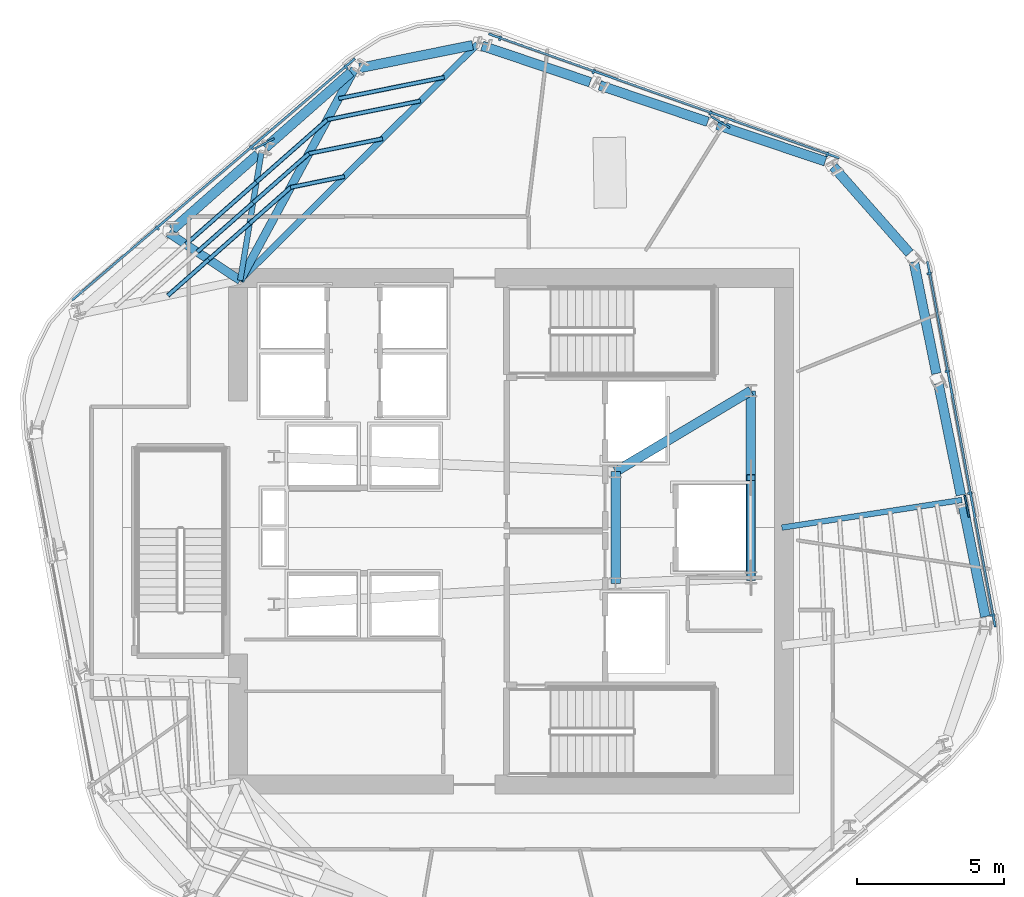
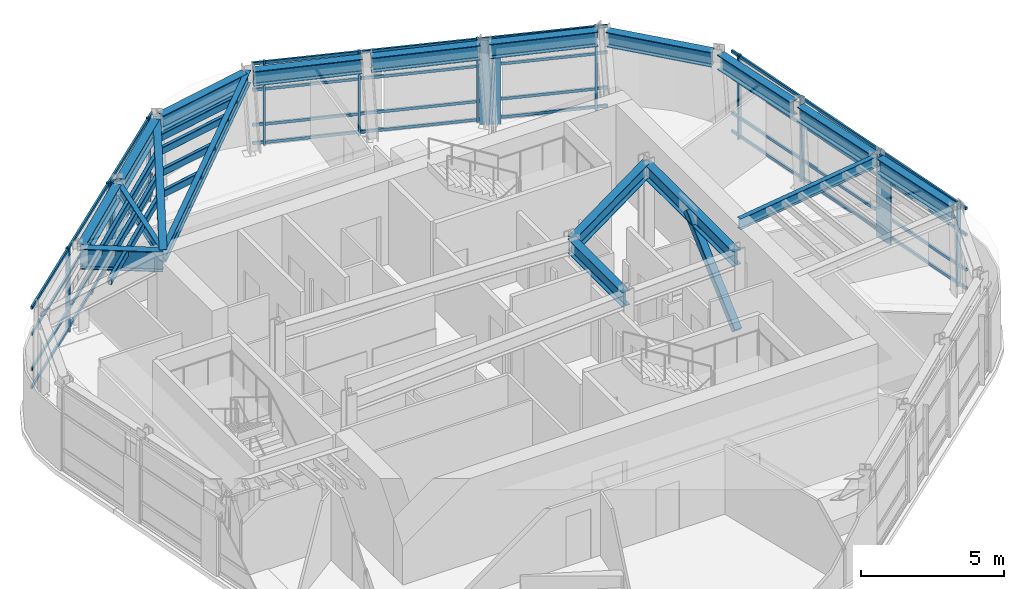
# One storey, part 4 of 14: 38 members, 18 beams, 3 elements without a shape of their own.
"""IFC4 building model written with IfcOpenShell, lengths in metres."""

from ifc_helpers import new_model, si_unit, direction, frame, origin, origin_2d, place, context, subcontext, project, spatial, rectangle, hollow_rectangle, i_section, extrude, material, layer, layer_set, material_profile, profile_set, type_object, element, aggregate, save


model = new_model("IFC4")

# Units and contexts
model_context = context("Model", 3, precision=1e-05, world=origin(), true_north=direction((0.0, 1.0)))
body_context = subcontext(model_context, "Body", "Model", "MODEL_VIEW")
ifc_project = project(units=[si_unit("LENGTHUNIT", "METRE"), si_unit("AREAUNIT", "SQUARE_METRE"), si_unit("VOLUMEUNIT", "CUBIC_METRE"), si_unit("PLANEANGLEUNIT", "RADIAN"), si_unit("MASSUNIT", "GRAM", prefix="KILO")], contexts=[model_context])

# Site, building, storey
site_placement = place(None, origin())
site = spatial("IfcSite", under=ifc_project, at=site_placement, CompositionType="ELEMENT")
building_placement = place(site_placement, origin())
building = spatial("IfcBuilding", under=site, at=building_placement, Name="Valkerne Bourse Tower", CompositionType="ELEMENT")
storey_placement = place(building_placement, frame((0.0, 0.0, 198.0)))
storey = spatial("IfcBuildingStorey", under=building, at=storey_placement, Name="L50", CompositionType="ELEMENT", Elevation=198.0)

# Beams
ifc_material_1 = material(Name="Steel ASTM A992", Category="steel")
ifc_material_profile_1 = material_profile(ifc_material_1, i_section(OverallWidth=0.1904296875, OverallDepth=0.457275390625, WebThickness=0.009033203125, FlangeThickness=0.014404296875, FilletRadius=0.01513671875, at=origin_2d()), Name="W18X50")
ifc_profile_set_1 = profile_set([ifc_material_profile_1], Name="Steel ASTM A992")
beam_type_1 = type_object("IfcBeamType", Name="BM-W18X50", PredefinedType="JOIST", material=ifc_profile_set_1)
beam_1_placement = place(storey_placement, frame((38.32861328125, 39.79345703125, 3.371337890625), z_axis=(-0.163581084638, -0.986529892476, 0.0), x_axis=(0.986529892476, -0.163581084638, 0.0)))
element("IfcBeam", 1, at=beam_1_placement, inside=storey, type_object=beam_type_1, Name="L50 Radial Composite Floor Beam 05", PredefinedType="JOIST", context=body_context, shape_type="SweptSolid", body=[
    extrude(i_section(OverallWidth=0.1904296875, OverallDepth=0.457275390625, WebThickness=0.009033203125, FlangeThickness=0.014404296875, FilletRadius=0.01513671875, at=origin_2d()), origin(), (0.0, 0.0, 1.0), 4.45361328125),
])
beam_2_placement = place(storey_placement, frame((62.115234375, 27.939697265625, 3.371337890625), z_axis=(-0.988398597204, -0.151882234136, 0.0), x_axis=(0.151882234136, -0.988398597204, 0.0)))
element("IfcBeam", 2, at=beam_2_placement, inside=storey, type_object=beam_type_1, Name="L50 Radial Composite Floor Beam 21", PredefinedType="JOIST", context=body_context, shape_type="SweptSolid", body=[
    extrude(i_section(OverallWidth=0.1904296875, OverallDepth=0.457275390625, WebThickness=0.009033203125, FlangeThickness=0.014404296875, FilletRadius=0.01513671875, at=origin_2d()), origin(), (0.0, 0.0, 1.0), 6.18701171875),
])
ifc_material_profile_2 = material_profile(ifc_material_1, i_section(OverallWidth=0.279296875, OverallDepth=0.46240234375, WebThickness=0.0107421875, FlangeThickness=0.017333984375, FilletRadius=0.017822265625, at=origin_2d()), Name="W18X76")
ifc_profile_set_2 = profile_set([ifc_material_profile_2], Name="Steel ASTM A992")
beam_type_2 = type_object("IfcBeamType", Name="BM-W18X76", PredefinedType="BEAM", material=ifc_profile_set_2)
beam_3_placement = place(storey_placement, frame((41.488037109375, 42.578857421875, 3.368896484375), z_axis=(-0.476220529649, -0.879325882219, 0.0), x_axis=(0.879325882219, -0.476220529649, 0.0)))
element("IfcBeam", 3, at=beam_3_placement, inside=storey, type_object=beam_type_2, Name="L50 Radial Composite Floor Beam 04", PredefinedType="BEAM", context=body_context, shape_type="SweptSolid", body=[
    extrude(i_section(OverallWidth=0.279296875, OverallDepth=0.46240234375, WebThickness=0.0107421875, FlangeThickness=0.017333984375, FilletRadius=0.017822265625, at=origin_2d()), origin(), (0.0, 0.0, 1.0), 8.1640625),
])
ifc_material_profile_3 = material_profile(ifc_material_1, i_section(OverallWidth=0.209228515625, OverallDepth=0.533447265625, WebThickness=0.01025390625, FlangeThickness=0.015625, FilletRadius=0.017822265625, at=origin_2d()), Name="W21X62")
ifc_profile_set_3 = profile_set([ifc_material_profile_3], Name="Steel ASTM A992")
beam_type_3 = type_object("IfcBeamType", Name="BM-W21X62", PredefinedType="JOIST", material=ifc_profile_set_3)
beam_4_placement = place(storey_placement, frame((45.659912109375, 43.420166015625, 3.333251953125), z_axis=(-0.708843846605, -0.705365438004, 0.0), x_axis=(0.705365438004, -0.708843846605, 0.0)))
element("IfcBeam", 4, at=beam_4_placement, inside=storey, type_object=beam_type_3, Name="L50 Radial Composite Floor Beam 03", PredefinedType="JOIST", context=body_context, shape_type="SweptSolid", body=[
    extrude(i_section(OverallWidth=0.209228515625, OverallDepth=0.533447265625, WebThickness=0.01025390625, FlangeThickness=0.015625, FilletRadius=0.017822265625, at=origin_2d()), origin(), (0.0, 0.0, 1.0), 11.370361328125),
])
ifc_material_profile_4 = material_profile(ifc_material_1, i_section(OverallWidth=0.3251953125, OverallDepth=0.612060546875, WebThickness=0.0126953125, FlangeThickness=0.01904296875, FilletRadius=0.020263671875, at=origin_2d()), Name="W24X104")
ifc_profile_set_4 = profile_set([ifc_material_profile_4], Name="Steel ASTM A992")
beam_type_4 = type_object("IfcBeamType", Name="BM-W24X104", PredefinedType="BEAM", material=ifc_profile_set_4)
beam_5_placement = place(storey_placement, frame((50.35009765625, 25.10009765625, 3.2939453125), z_axis=(0.0, 1.0, 0.0), x_axis=(-1.0, 0.0, 0.0)))
element("IfcBeam", 5, at=beam_5_placement, inside=storey, type_object=beam_type_4, Name="L50 Core Frame Girder CG-CE", PredefinedType="BEAM", context=body_context, shape_type="SweptSolid", body=[
    extrude(i_section(OverallWidth=0.3251953125, OverallDepth=0.612060546875, WebThickness=0.0126953125, FlangeThickness=0.01904296875, FilletRadius=0.020263671875, at=origin_2d()), origin(), (0.0, 0.0, 1.0), 3.7998046875),
])
beam_6_placement = place(storey_placement, frame((50.35009765625, 28.89990234375, 3.2939453125), z_axis=(0.858307823492, 0.513135148019, 0.0), x_axis=(-0.513135148019, 0.858307823492, 0.0)))
element("IfcBeam", 6, at=beam_6_placement, inside=storey, type_object=beam_type_4, Name="L50 Core Frame Girder CG-NE", PredefinedType="BEAM", context=body_context, shape_type="SweptSolid", body=[
    extrude(i_section(OverallWidth=0.3251953125, OverallDepth=0.612060546875, WebThickness=0.0126953125, FlangeThickness=0.01904296875, FilletRadius=0.020263671875, at=origin_2d()), origin(), (0.0, 0.0, 1.0), 5.359130859375),
])
beam_7_placement = place(storey_placement, frame((54.949951171875, 25.300048828125, 3.2939453125), z_axis=(0.0, 1.0, 0.0), x_axis=(-1.0, 0.0, 0.0)))
element("IfcBeam", 7, at=beam_7_placement, inside=storey, type_object=beam_type_4, Name="L50 Core Frame Girder CG-EE", PredefinedType="BEAM", context=body_context, shape_type="SweptSolid", body=[
    extrude(i_section(OverallWidth=0.3251953125, OverallDepth=0.612060546875, WebThickness=0.0126953125, FlangeThickness=0.01904296875, FilletRadius=0.020263671875, at=origin_2d()), origin(), (0.0, 0.0, 1.0), 6.349853515625),
])
ifc_material_profile_5 = material_profile(ifc_material_1, i_section(OverallWidth=0.32763671875, OverallDepth=0.62744140625, WebThickness=0.0166015625, FlangeThickness=0.027587890625, FilletRadius=0.020263671875, at=origin_2d()), Name="W24X146")
ifc_profile_set_5 = profile_set([ifc_material_profile_5], Name="Steel ASTM A992")
beam_type_5 = type_object("IfcBeamType", Name="BM-W24X146", PredefinedType="SPANDREL", material=ifc_profile_set_5)
for number, where, z_axis, x_axis, name in (
    (8, (57.474609375, 39.44384765625, 3.286376953125), (-0.947758695535, 0.318988173822, 0.0), (-0.318988173822, -0.947758695535, 0.0), "L50 Hexagonal Spandrel Ring Beam 00"),
    (9, (53.482666015625, 40.787353515625, 3.286376953125), (-0.947758695535, 0.318988173822, 0.0), (-0.318988173822, -0.947758695535, 0.0), "L50 Hexagonal Spandrel Ring Beam 01"),
    (10, (49.49072265625, 42.130859375, 3.286376953125), (-0.947765110882, 0.31896911229, 0.0), (-0.31896911229, -0.947765110882, 0.0), "L50 Hexagonal Spandrel Ring Beam 02"),
):
    element("IfcBeam", number, at=place(storey_placement, frame(where, z_axis=z_axis, x_axis=x_axis)), inside=storey, type_object=beam_type_5, Name=name, PredefinedType="SPANDREL", context=body_context, shape_type="SweptSolid", body=[
        extrude(i_section(OverallWidth=0.32763671875, OverallDepth=0.62744140625, WebThickness=0.0166015625, FlangeThickness=0.027587890625, FilletRadius=0.020263671875, at=origin_2d()), origin(), (0.0, 0.0, 1.0), 3.8720703125),
    ])
beam_8_placement = place(storey_placement, frame((45.4931640625, 43.386474609375, 3.286376953125), z_axis=(-0.980272518925, -0.19765067326, 0.0), x_axis=(0.19765067326, -0.980272518925, 0.0)))
element("IfcBeam", 11, at=beam_8_placement, inside=storey, type_object=beam_type_5, Name="L50 Hexagonal Spandrel Ring Beam 03", PredefinedType="SPANDREL", context=body_context, shape_type="SweptSolid", body=[
    extrude(i_section(OverallWidth=0.32763671875, OverallDepth=0.62744140625, WebThickness=0.0166015625, FlangeThickness=0.027587890625, FilletRadius=0.020263671875, at=origin_2d()), origin(), (0.0, 0.0, 1.0), 3.91552734375),
])
beam_9_placement = place(storey_placement, frame((41.360595703125, 42.466552734375, 3.286376953125), z_axis=(-0.750130348516, -0.661289997078, 0.0), x_axis=(0.661289997078, -0.750130348516, 0.0)))
element("IfcBeam", 12, at=beam_9_placement, inside=storey, type_object=beam_type_5, Name="L50 Hexagonal Spandrel Ring Beam 04", PredefinedType="SPANDREL", context=body_context, shape_type="SweptSolid", body=[
    extrude(i_section(OverallWidth=0.32763671875, OverallDepth=0.62744140625, WebThickness=0.0166015625, FlangeThickness=0.027587890625, FilletRadius=0.020263671875, at=origin_2d()), origin(), (0.0, 0.0, 1.0), 3.8720703125),
])
for number, where, z_axis, x_axis, name in (
    (13, (38.201171875, 39.68115234375, 3.286376953125), (-0.750099071774, -0.661325473971, 0.0), (0.661325473971, -0.750099071774, 0.0), "L50 Hexagonal Spandrel Ring Beam 05"),
    (14, (62.9140625, 23.977294921875, 3.286376953125), (-0.19765572137, 0.98027150107, 0.0), (-0.98027150107, -0.19765572137, 0.0), "L50 Hexagonal Spandrel Ring Beam 20"),
    (15, (62.08154296875, 28.106201171875, 3.286376953125), (-0.19765572137, 0.98027150107, 0.0), (-0.98027150107, -0.19765572137, 0.0), "L50 Hexagonal Spandrel Ring Beam 21"),
    (16, (61.2490234375, 32.235107421875, 3.286376953125), (-0.19765572137, 0.98027150107, 0.0), (-0.98027150107, -0.19765572137, 0.0), "L50 Hexagonal Spandrel Ring Beam 22"),
):
    element("IfcBeam", number, at=place(storey_placement, frame(where, z_axis=z_axis, x_axis=x_axis)), inside=storey, type_object=beam_type_5, Name=name, PredefinedType="SPANDREL", context=body_context, shape_type="SweptSolid", body=[
        extrude(i_section(OverallWidth=0.32763671875, OverallDepth=0.62744140625, WebThickness=0.0166015625, FlangeThickness=0.027587890625, FilletRadius=0.020263671875, at=origin_2d()), origin(), (0.0, 0.0, 1.0), 3.872314453125),
    ])
beam_10_placement = place(storey_placement, frame((60.337646484375, 36.324951171875, 3.286376953125), z_axis=(-0.661285437927, 0.750134367688, 0.0), x_axis=(-0.750134367688, -0.661285437927, 0.0)))
element("IfcBeam", 17, at=beam_10_placement, inside=storey, type_object=beam_type_5, Name="L50 Hexagonal Spandrel Ring Beam 23", PredefinedType="SPANDREL", context=body_context, shape_type="SweptSolid", body=[
    extrude(i_section(OverallWidth=0.32763671875, OverallDepth=0.62744140625, WebThickness=0.0166015625, FlangeThickness=0.027587890625, FilletRadius=0.020263671875, at=origin_2d()), origin(), (0.0, 0.0, 1.0), 3.91552734375),
])
ifc_material_profile_6 = material_profile(ifc_material_1, i_section(OverallWidth=0.2919921875, OverallDepth=0.8583984375, WebThickness=0.01708984375, FlangeThickness=0.031005859375, FilletRadius=0.025390625, at=origin_2d()), Name="W33X169")
ifc_profile_set_6 = profile_set([ifc_material_profile_6], Name="Steel ASTM A992")
beam_type_6 = type_object("IfcBeamType", Name="BM-W33X169", PredefinedType="BEAM", material=ifc_profile_set_6)
beam_11_placement = place(storey_placement, frame((35.169189453125, 37.008056640625, 3.170654296875), z_axis=(0.83401666327, -0.551739254892, 0.0), x_axis=(0.551739254892, 0.83401666327, 0.0)))
element("IfcBeam", 18, at=beam_11_placement, inside=storey, type_object=beam_type_6, Name="L50 Radial Composite Floor Beam 06", PredefinedType="BEAM", context=body_context, shape_type="SweptSolid", body=[
    extrude(i_section(OverallWidth=0.2919921875, OverallDepth=0.8583984375, WebThickness=0.01708984375, FlangeThickness=0.031005859375, FilletRadius=0.025390625, at=origin_2d()), origin(), (0.0, 0.0, 1.0), 2.914794921875),
])

# Curtain wall, members
ifc_material_2 = material(Name="Aluminium AA 6063-T6", Category="aluminium")
ifc_layer = layer(ifc_material_2, 0.239990234375)
ifc_layer_set = layer_set([ifc_layer], Name="Aluminium AA 6063-T6")
curtain_wall_type = type_object("IfcCurtainWallType", Name="CW-04", PredefinedType="NOTDEFINED", material=ifc_layer_set)
curtain_wall_1_placement = place(storey_placement, origin())
curtain_wall_1 = element("IfcCurtainWall", 19, at=curtain_wall_1_placement, inside=storey, type_object=curtain_wall_type, Name="L50 Hexagonal Stick Curtain Wall Face 1", PredefinedType="NOTDEFINED")
ifc_material_profile_7 = material_profile(ifc_material_2, rectangle(XDim=0.074951171875, YDim=0.159912109375, at=origin_2d()), Name="CWM-75X160")
ifc_profile_set_7 = profile_set([ifc_material_profile_7], Name="Aluminium AA 6063-T6")
member_type_1 = type_object("IfcMemberType", Name="CW-MUL-160X75", PredefinedType="MULLION", material=ifc_profile_set_7)
member_1_placement = place(storey_placement, frame((57.546630859375, 39.6787109375, 0.0), z_axis=(0.0, 0.0, 1.0), x_axis=(-0.942643567267, 0.33380099624, 0.0)))
member_1 = element("IfcMember", 20, at=member_1_placement, type_object=member_type_1, Name="CW-L50-F1 Jamb Mullion 00A", PredefinedType="MULLION", context=body_context, shape_type="SweptSolid", body=[
    extrude(rectangle(XDim=0.074951171875, YDim=0.159912109375, at=origin_2d()), origin(), (0.0, 0.0, 1.0), 3.60009765625),
])
member_2_placement = place(storey_placement, frame((53.576171875, 41.084716796875, 0.0), z_axis=(0.0, 0.0, 1.0), x_axis=(-0.942640921859, 0.333808466695, 0.0)))
member_2 = element("IfcMember", 21, at=member_2_placement, type_object=member_type_1, Name="CW-L50-F1 Jamb Mullion 01A", PredefinedType="MULLION", context=body_context, shape_type="SweptSolid", body=[
    extrude(rectangle(XDim=0.074951171875, YDim=0.159912109375, at=origin_2d()), origin(), (0.0, 0.0, 1.0), 3.60009765625),
])
member_3_placement = place(storey_placement, frame((49.605712890625, 42.49072265625, 0.0), z_axis=(0.0, 0.0, 1.0), x_axis=(-0.942640921859, 0.333808466695, 0.0)))
member_3 = element("IfcMember", 22, at=member_3_placement, type_object=member_type_1, Name="CW-L50-F1 Jamb Mullion 02A", PredefinedType="MULLION", context=body_context, shape_type="SweptSolid", body=[
    extrude(rectangle(XDim=0.074951171875, YDim=0.159912109375, at=origin_2d()), origin(), (0.0, 0.0, 1.0), 3.60009765625),
])
member_4_placement = place(storey_placement, frame((46.42724609375, 43.6162109375, 0.0), z_axis=(0.0, 0.0, 1.0), x_axis=(-0.942640921859, 0.333808466695, 0.0)))
member_4 = element("IfcMember", 23, at=member_4_placement, type_object=member_type_1, Name="CW-L50-F1 Jamb Mullion 02B", PredefinedType="MULLION", context=body_context, shape_type="SweptSolid", body=[
    extrude(rectangle(XDim=0.074951171875, YDim=0.159912109375, at=origin_2d()), origin(), (0.0, 0.0, 1.0), 3.60009765625),
])

curtain_wall_2_placement = place(storey_placement, origin())
curtain_wall_2 = element("IfcCurtainWall", 24, at=curtain_wall_2_placement, inside=storey, type_object=curtain_wall_type, Name="L50 Hexagonal Stick Curtain Wall Face 2", PredefinedType="NOTDEFINED")
member_5_placement = place(storey_placement, frame((41.193115234375, 42.646240234375, 0.0), z_axis=(0.0, 0.0, 1.0), x_axis=(-0.760411783398, -0.649441236502, 0.0)))
member_5 = element("IfcMember", 25, at=member_5_placement, type_object=member_type_1, Name="CW-L50-F2 Jamb Mullion 00A", PredefinedType="MULLION", context=body_context, shape_type="SweptSolid", body=[
    extrude(rectangle(XDim=0.074951171875, YDim=0.159912109375, at=origin_2d()), origin(), (0.0, 0.0, 1.0), 3.60009765625),
])
member_6_placement = place(storey_placement, frame((37.990478515625, 39.910888671875, 0.0), z_axis=(0.0, 0.0, 1.0), x_axis=(-0.760400058591, -0.649454964486, 0.0)))
member_6 = element("IfcMember", 26, at=member_6_placement, type_object=member_type_1, Name="CW-L50-F2 Jamb Mullion 01A", PredefinedType="MULLION", context=body_context, shape_type="SweptSolid", body=[
    extrude(rectangle(XDim=0.074951171875, YDim=0.159912109375, at=origin_2d()), origin(), (0.0, 0.0, 1.0), 3.60009765625),
])
member_7_placement = place(storey_placement, frame((34.78759765625, 37.17529296875, 0.0), z_axis=(0.0, 0.0, 1.0), x_axis=(-0.760400058591, -0.649454964486, 0.0)))
member_7 = element("IfcMember", 27, at=member_7_placement, type_object=member_type_1, Name="CW-L50-F2 Jamb Mullion 02A", PredefinedType="MULLION", context=body_context, shape_type="SweptSolid", body=[
    extrude(rectangle(XDim=0.074951171875, YDim=0.159912109375, at=origin_2d()), origin(), (0.0, 0.0, 1.0), 3.60009765625),
])

curtain_wall_3_placement = place(storey_placement, origin())
curtain_wall_3 = element("IfcCurtainWall", 28, at=curtain_wall_3_placement, inside=storey, type_object=curtain_wall_type, Name="L50 Hexagonal Stick Curtain Wall Face 6", PredefinedType="NOTDEFINED")
member_8_placement = place(storey_placement, frame((63.1533203125, 24.032470703125, 0.0), z_axis=(0.0, 0.0, 1.0), x_axis=(-0.182239736328, 0.983254127122, 0.0)))
member_8 = element("IfcMember", 29, at=member_8_placement, type_object=member_type_1, Name="CW-L50-F6 Jamb Mullion 00A", PredefinedType="MULLION", context=body_context, shape_type="SweptSolid", body=[
    extrude(rectangle(XDim=0.074951171875, YDim=0.159912109375, at=origin_2d()), origin(), (0.0, 0.0, 1.0), 3.60009765625),
])
member_9_placement = place(storey_placement, frame((62.3857421875, 28.173828125, 0.0), z_axis=(0.0, 0.0, 1.0), x_axis=(-0.182216783154, 0.983258381066, 0.0)))
member_9 = element("IfcMember", 30, at=member_9_placement, type_object=member_type_1, Name="CW-L50-F6 Jamb Mullion 01A", PredefinedType="MULLION", context=body_context, shape_type="SweptSolid", body=[
    extrude(rectangle(XDim=0.074951171875, YDim=0.159912109375, at=origin_2d()), origin(), (0.0, 0.0, 1.0), 3.60009765625),
])
member_10_placement = place(storey_placement, frame((61.618408203125, 32.3154296875, 0.0), z_axis=(0.0, 0.0, 1.0), x_axis=(-0.182239736328, 0.983254127122, 0.0)))
member_10 = element("IfcMember", 31, at=member_10_placement, type_object=member_type_1, Name="CW-L50-F6 Jamb Mullion 02A", PredefinedType="MULLION", context=body_context, shape_type="SweptSolid", body=[
    extrude(rectangle(XDim=0.074951171875, YDim=0.159912109375, at=origin_2d()), origin(), (0.0, 0.0, 1.0), 3.60009765625),
])
member_11_placement = place(storey_placement, frame((61.003662109375, 35.631103515625, 0.0), z_axis=(0.0, 0.0, 1.0), x_axis=(-0.182239736328, 0.983254127122, 0.0)))
member_11 = element("IfcMember", 32, at=member_11_placement, type_object=member_type_1, Name="CW-L50-F6 Jamb Mullion 02B", PredefinedType="MULLION", context=body_context, shape_type="SweptSolid", body=[
    extrude(rectangle(XDim=0.074951171875, YDim=0.159912109375, at=origin_2d()), origin(), (0.0, 0.0, 1.0), 3.60009765625),
])

# Member
ifc_material_profile_8 = material_profile(ifc_material_2, rectangle(XDim=0.074951171875, YDim=0.1201171875, at=origin_2d()), Name="CWT-75X120")
ifc_profile_set_8 = profile_set([ifc_material_profile_8], Name="Aluminium AA 6063-T6")
member_type_2 = type_object("IfcMemberType", Name="CW-TRN-120X75", PredefinedType="USERDEFINED", material=ifc_profile_set_8)
member_12_placement = place(storey_placement, frame((57.94921875, 39.557373046875, 0.1201171875), z_axis=(-0.942639891641, 0.33381137591, 0.0), x_axis=(-0.33381137591, -0.942639891641, 0.0)))
member_12 = element("IfcMember", 33, at=member_12_placement, type_object=member_type_2, Name="CW-L50-F1 Continuous Face Transom 1", ObjectType="TRANSOM", PredefinedType="USERDEFINED", context=body_context, shape_type="SweptSolid", body=[
    extrude(rectangle(XDim=0.074951171875, YDim=0.1201171875, at=origin_2d()), origin(), (0.0, 0.0, 1.0), 12.635986328125),
])

member_13_placement = place(storey_placement, frame((57.94921875, 39.557373046875, 0.89990234375), z_axis=(-0.942639891641, 0.33381137591, 0.0), x_axis=(-0.33381137591, -0.942639891641, 0.0)))
member_13 = element("IfcMember", 34, at=member_13_placement, type_object=member_type_2, Name="CW-L50-F1 Continuous Face Transom 2", ObjectType="TRANSOM", PredefinedType="USERDEFINED", context=body_context, shape_type="SweptSolid", body=[
    extrude(rectangle(XDim=0.074951171875, YDim=0.1201171875, at=origin_2d()), origin(), (0.0, 0.0, 1.0), 12.635986328125),
])

member_14_placement = place(storey_placement, frame((57.94921875, 39.557373046875, 2.39990234375), z_axis=(-0.942639891641, 0.33381137591, 0.0), x_axis=(-0.33381137591, -0.942639891641, 0.0)))
member_14 = element("IfcMember", 35, at=member_14_placement, type_object=member_type_2, Name="CW-L50-F1 Continuous Face Transom 3", ObjectType="TRANSOM", PredefinedType="USERDEFINED", context=body_context, shape_type="SweptSolid", body=[
    extrude(rectangle(XDim=0.074951171875, YDim=0.1201171875, at=origin_2d()), origin(), (0.0, 0.0, 1.0), 12.635986328125),
])

member_15_placement = place(storey_placement, frame((57.94921875, 39.557373046875, 3.52001953125), z_axis=(-0.942639891641, 0.33381137591, 0.0), x_axis=(-0.33381137591, -0.942639891641, 0.0)))
member_15 = element("IfcMember", 36, at=member_15_placement, type_object=member_type_2, Name="CW-L50-F1 Continuous Face Transom 4", ObjectType="TRANSOM", PredefinedType="USERDEFINED", context=body_context, shape_type="SweptSolid", body=[
    extrude(rectangle(XDim=0.074951171875, YDim=0.1201171875, at=origin_2d()), origin(), (0.0, 0.0, 1.0), 12.635986328125),
])

aggregate(curtain_wall_1, [member_12, member_13, member_14, member_15, member_1, member_2, member_3, member_4])

member_16_placement = place(storey_placement, frame((41.49951171875, 42.93408203125, 0.1201171875), z_axis=(-0.760407868756, -0.649445820014, 0.0), x_axis=(0.649445820014, -0.760407868756, 0.0)))
member_16 = element("IfcMember", 37, at=member_16_placement, type_object=member_type_2, Name="CW-L50-F2 Continuous Face Transom 1", ObjectType="TRANSOM", PredefinedType="USERDEFINED", context=body_context, shape_type="SweptSolid", body=[
    extrude(rectangle(XDim=0.074951171875, YDim=0.1201171875, at=origin_2d()), origin(), (0.0, 0.0, 1.0), 12.6357421875),
])

member_17_placement = place(storey_placement, frame((41.49951171875, 42.93408203125, 0.89990234375), z_axis=(-0.760407868756, -0.649445820014, 0.0), x_axis=(0.649445820014, -0.760407868756, 0.0)))
member_17 = element("IfcMember", 38, at=member_17_placement, type_object=member_type_2, Name="CW-L50-F2 Continuous Face Transom 2", ObjectType="TRANSOM", PredefinedType="USERDEFINED", context=body_context, shape_type="SweptSolid", body=[
    extrude(rectangle(XDim=0.074951171875, YDim=0.1201171875, at=origin_2d()), origin(), (0.0, 0.0, 1.0), 12.6357421875),
])

member_18_placement = place(storey_placement, frame((41.49951171875, 42.93408203125, 2.39990234375), z_axis=(-0.760407868756, -0.649445820014, 0.0), x_axis=(0.649445820014, -0.760407868756, 0.0)))
member_18 = element("IfcMember", 39, at=member_18_placement, type_object=member_type_2, Name="CW-L50-F2 Continuous Face Transom 3", ObjectType="TRANSOM", PredefinedType="USERDEFINED", context=body_context, shape_type="SweptSolid", body=[
    extrude(rectangle(XDim=0.074951171875, YDim=0.1201171875, at=origin_2d()), origin(), (0.0, 0.0, 1.0), 12.6357421875),
])

member_19_placement = place(storey_placement, frame((41.49951171875, 42.93408203125, 3.52001953125), z_axis=(-0.760407868756, -0.649445820014, 0.0), x_axis=(0.649445820014, -0.760407868756, 0.0)))
member_19 = element("IfcMember", 40, at=member_19_placement, type_object=member_type_2, Name="CW-L50-F2 Continuous Face Transom 4", ObjectType="TRANSOM", PredefinedType="USERDEFINED", context=body_context, shape_type="SweptSolid", body=[
    extrude(rectangle(XDim=0.074951171875, YDim=0.1201171875, at=origin_2d()), origin(), (0.0, 0.0, 1.0), 12.6357421875),
])

aggregate(curtain_wall_2, [member_16, member_17, member_18, member_19, member_5, member_6, member_7])

member_20_placement = place(storey_placement, frame((63.24951171875, 23.623046875, 0.1201171875), z_axis=(-0.182215177499, 0.983258678624, 0.0), x_axis=(-0.983258678624, -0.182215177499, 0.0)))
member_20 = element("IfcMember", 41, at=member_20_placement, type_object=member_type_2, Name="CW-L50-F6 Continuous Face Transom 1", ObjectType="TRANSOM", PredefinedType="USERDEFINED", context=body_context, shape_type="SweptSolid", body=[
    extrude(rectangle(XDim=0.074951171875, YDim=0.1201171875, at=origin_2d()), origin(), (0.0, 0.0, 1.0), 12.635986328125),
])

member_21_placement = place(storey_placement, frame((63.24951171875, 23.623046875, 0.89990234375), z_axis=(-0.182215177499, 0.983258678624, 0.0), x_axis=(-0.983258678624, -0.182215177499, 0.0)))
member_21 = element("IfcMember", 42, at=member_21_placement, type_object=member_type_2, Name="CW-L50-F6 Continuous Face Transom 2", ObjectType="TRANSOM", PredefinedType="USERDEFINED", context=body_context, shape_type="SweptSolid", body=[
    extrude(rectangle(XDim=0.074951171875, YDim=0.1201171875, at=origin_2d()), origin(), (0.0, 0.0, 1.0), 12.635986328125),
])

member_22_placement = place(storey_placement, frame((63.24951171875, 23.623046875, 2.39990234375), z_axis=(-0.182215177499, 0.983258678624, 0.0), x_axis=(-0.983258678624, -0.182215177499, 0.0)))
member_22 = element("IfcMember", 43, at=member_22_placement, type_object=member_type_2, Name="CW-L50-F6 Continuous Face Transom 3", ObjectType="TRANSOM", PredefinedType="USERDEFINED", context=body_context, shape_type="SweptSolid", body=[
    extrude(rectangle(XDim=0.074951171875, YDim=0.1201171875, at=origin_2d()), origin(), (0.0, 0.0, 1.0), 12.635986328125),
])

member_23_placement = place(storey_placement, frame((63.24951171875, 23.623046875, 3.52001953125), z_axis=(-0.182215177499, 0.983258678624, 0.0), x_axis=(-0.983258678624, -0.182215177499, 0.0)))
member_23 = element("IfcMember", 44, at=member_23_placement, type_object=member_type_2, Name="CW-L50-F6 Continuous Face Transom 4", ObjectType="TRANSOM", PredefinedType="USERDEFINED", context=body_context, shape_type="SweptSolid", body=[
    extrude(rectangle(XDim=0.074951171875, YDim=0.1201171875, at=origin_2d()), origin(), (0.0, 0.0, 1.0), 12.635986328125),
])

aggregate(curtain_wall_3, [member_20, member_21, member_22, member_23, member_8, member_9, member_10, member_11])

# Members
ifc_material_3 = material(Name="Bronze Anodised Aluminium AA 6063-T6", Category="aluminium")
ifc_material_profile_9 = material_profile(ifc_material_3, rectangle(XDim=0.06494140625, YDim=0.75, at=origin_2d()), Name="FIN-65X750")
ifc_profile_set_9 = profile_set([ifc_material_profile_9], Name="Bronze Anodised Aluminium AA 6063-T6")
member_type_3 = type_object("IfcMemberType", Name="FIN-SOLAR-650", PredefinedType="USERDEFINED", material=ifc_profile_set_9)
for number, where, z_axis, x_axis, name in (
    (45, (53.912109375, 40.77490234375, 0.00390625), (0.0, 0.0, 1.0), (0.515604225618, 0.856826868466, 0.0), "L50 Bronze Anodised Solar Fin F1-01"),
    (46, (38.4267578125, 40.046630859375, 0.00390625), (0.0, 0.0, 1.0), (-0.467380329238, 0.884056348793, 0.0), "L50 Bronze Anodised Solar Fin F2-01"),
    (47, (62.285400390625, 27.728271484375, 0.00390625), (0.0, 0.0, 1.0), (0.979583667135, 0.201036909749, 0.0), "L50 Bronze Anodised Solar Fin F6-01"),
):
    element("IfcMember", number, at=place(storey_placement, frame(where, z_axis=z_axis, x_axis=x_axis)), inside=storey, type_object=member_type_3, Name=name, ObjectType="SOLAR_FIN", PredefinedType="USERDEFINED", context=body_context, shape_type="SweptSolid", body=[
        extrude(rectangle(XDim=0.06494140625, YDim=0.75, at=origin_2d()), origin(), (0.0, 0.0, 1.0), 3.592041015625),
    ])
ifc_material_4 = material(Name="Steel ASTM A500 Grade C", Category="steel")
ifc_material_profile_10 = material_profile(ifc_material_4, hollow_rectangle(XDim=0.14990234375, YDim=0.300048828125, WallThickness=0.012451171875, OuterFilletRadius=0.02490234375, at=origin_2d()), Name="HSS300X150X12.5")
ifc_profile_set_10 = profile_set([ifc_material_profile_10], Name="Steel ASTM A500 Grade C")
member_type_4 = type_object("IfcMemberType", Name="MBR-HSS300X150X12.5", PredefinedType="PURLIN", material=ifc_profile_set_10)
member_24_placement = place(storey_placement, frame((41.146240234375, 38.9287109375, 3.43994140625), z_axis=(-0.98026851441, -0.1976705331, 0.0), x_axis=(0.1976705331, -0.98026851441, 0.0)))
element("IfcMember", 48, at=member_24_placement, inside=storey, type_object=member_type_4, Name="L50 Secondary Composite Floor Purlin K-03", PredefinedType="PURLIN", context=body_context, shape_type="SweptSolid", body=[
    extrude(hollow_rectangle(XDim=0.14990234375, YDim=0.300048828125, WallThickness=0.012451171875, OuterFilletRadius=0.02490234375, at=origin_2d()), origin(), (0.0, 0.0, 1.0), 1.872314453125),
])
for number, where, z_axis, x_axis, name in (
    (49, (39.310791015625, 38.55859375, 3.43994140625), (-0.750106904605, -0.661316589588, 0.0), (0.661316589588, -0.750106904605, 0.0), "L50 Secondary Composite Floor Purlin K-04"),
    (50, (37.920654296875, 37.3330078125, 3.43994140625), (-0.750106904605, -0.661316589588, 0.0), (0.661316589588, -0.750106904605, 0.0), "L50 Secondary Composite Floor Purlin K-05"),
    (51, (36.530517578125, 36.107421875, 3.43994140625), (-0.750106904605, -0.661316589588, 0.0), (0.661316589588, -0.750106904605, 0.0), "L50 Secondary Composite Floor Purlin K-06"),
):
    element("IfcMember", number, at=place(storey_placement, frame(where, z_axis=z_axis, x_axis=x_axis)), inside=storey, type_object=member_type_4, Name=name, PredefinedType="PURLIN", context=body_context, shape_type="SweptSolid", body=[
        extrude(hollow_rectangle(XDim=0.14990234375, YDim=0.300048828125, WallThickness=0.012451171875, OuterFilletRadius=0.02490234375, at=origin_2d()), origin(), (0.0, 0.0, 1.0), 1.853271484375),
    ])
member_25_placement = place(storey_placement, frame((43.725341796875, 41.495361328125, 3.43994140625), z_axis=(-0.980262937952, -0.197698185315, 0.0), x_axis=(0.197698185315, -0.980262937952, 0.0)))
element("IfcMember", 52, at=member_25_placement, inside=storey, type_object=member_type_4, Name="L50 Secondary Composite Floor Purlin O-03", PredefinedType="PURLIN", context=body_context, shape_type="SweptSolid", body=[
    extrude(hollow_rectangle(XDim=0.14990234375, YDim=0.300048828125, WallThickness=0.012451171875, OuterFilletRadius=0.02490234375, at=origin_2d()), origin(), (0.0, 0.0, 1.0), 3.234130859375),
])
for number, where, z_axis, x_axis, name in (
    (53, (40.554931640625, 40.85595703125, 3.43994140625), (-0.750100432858, -0.661323930179, 0.0), (0.661323930179, -0.750100432858, 0.0), "L50 Secondary Composite Floor Purlin O-04"),
    (54, (38.15380859375, 38.739013671875, 3.43994140625), (-0.750100432858, -0.661323930179, 0.0), (0.661323930179, -0.750100432858, 0.0), "L50 Secondary Composite Floor Purlin O-05"),
):
    element("IfcMember", number, at=place(storey_placement, frame(where, z_axis=z_axis, x_axis=x_axis)), inside=storey, type_object=member_type_4, Name=name, PredefinedType="PURLIN", context=body_context, shape_type="SweptSolid", body=[
        extrude(hollow_rectangle(XDim=0.14990234375, YDim=0.300048828125, WallThickness=0.012451171875, OuterFilletRadius=0.02490234375, at=origin_2d()), origin(), (0.0, 0.0, 1.0), 3.201171875),
    ])
member_26_placement = place(storey_placement, frame((42.435791015625, 40.212158203125, 3.43994140625), z_axis=(-0.980255717066, -0.197733985846, 0.0), x_axis=(0.197733985846, -0.980255717066, 0.0)))
element("IfcMember", 55, at=member_26_placement, inside=storey, type_object=member_type_4, Name="L50 Secondary Composite Floor Purlin Z-03", PredefinedType="PURLIN", context=body_context, shape_type="SweptSolid", body=[
    extrude(hollow_rectangle(XDim=0.14990234375, YDim=0.300048828125, WallThickness=0.012451171875, OuterFilletRadius=0.02490234375, at=origin_2d()), origin(), (0.0, 0.0, 1.0), 2.55322265625),
])
for number, where, z_axis, x_axis, name in (
    (56, (39.932861328125, 39.707275390625, 3.43994140625), (-0.750147890483, -0.661270097921, 0.0), (0.661270097921, -0.750147890483, 0.0), "L50 Secondary Composite Floor Purlin Z-04"),
    (57, (38.037109375, 38.0361328125, 3.43994140625), (-0.750057717325, -0.661372376714, 0.0), (0.661372376714, -0.750057717325, 0.0), "L50 Secondary Composite Floor Purlin Z-05"),
):
    element("IfcMember", number, at=place(storey_placement, frame(where, z_axis=z_axis, x_axis=x_axis)), inside=storey, type_object=member_type_4, Name=name, PredefinedType="PURLIN", context=body_context, shape_type="SweptSolid", body=[
        extrude(hollow_rectangle(XDim=0.14990234375, YDim=0.300048828125, WallThickness=0.012451171875, OuterFilletRadius=0.02490234375, at=origin_2d()), origin(), (0.0, 0.0, 1.0), 2.527099609375),
    ])
member_27_placement = place(storey_placement, frame((44.531494140625, 42.29736328125, 3.43994140625), z_axis=(-0.980271585031, -0.197655304964, 0.0), x_axis=(0.197655304964, -0.980271585031, 0.0)))
element("IfcMember", 58, at=member_27_placement, inside=storey, type_object=member_type_4, Name="L50 Secondary Composite Floor Purlin T-03", PredefinedType="PURLIN", context=body_context, shape_type="SweptSolid", body=[
    extrude(hollow_rectangle(XDim=0.14990234375, YDim=0.300048828125, WallThickness=0.012451171875, OuterFilletRadius=0.02490234375, at=origin_2d()), origin(), (0.0, 0.0, 1.0), 3.659912109375),
])
ifc_material_profile_11 = material_profile(ifc_material_4, hollow_rectangle(XDim=0.300048828125, YDim=0.300048828125, WallThickness=0.012451171875, OuterFilletRadius=0.02490234375, at=origin_2d()), Name="HSS300X300X12.5")
ifc_profile_set_11 = profile_set([ifc_material_profile_11], Name="Steel ASTM A500 Grade C")
member_type_5 = type_object("IfcMemberType", Name="MBR-HSS300X300X12.5", PredefinedType="STRUT", material=ifc_profile_set_11)
member_28_placement = place(storey_placement, frame((54.949951171875, 25.300048828125, 0.219970703125), z_axis=(0.0, 0.741766660352, 0.670658051163), x_axis=(-1.0, 0.0, 0.0)))
element("IfcMember", 59, at=member_28_placement, inside=storey, type_object=member_type_5, Name="L50 Core Service Pier Lateral Brace", PredefinedType="STRUT", context=body_context, shape_type="SweptSolid", body=[
    extrude(hollow_rectangle(XDim=0.300048828125, YDim=0.300048828125, WallThickness=0.012451171875, OuterFilletRadius=0.02490234375, at=origin_2d()), origin(), (0.0, 0.0, 1.0), 4.58349609375),
])

save(model, "model.ifc")
